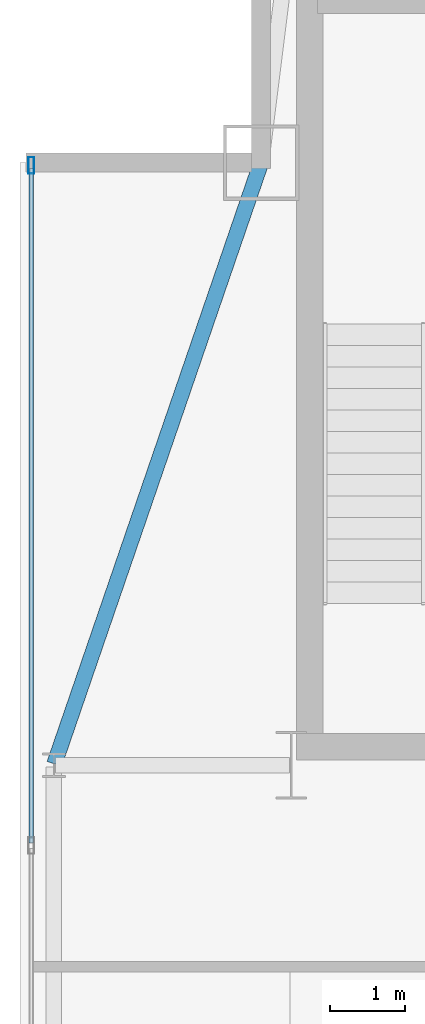
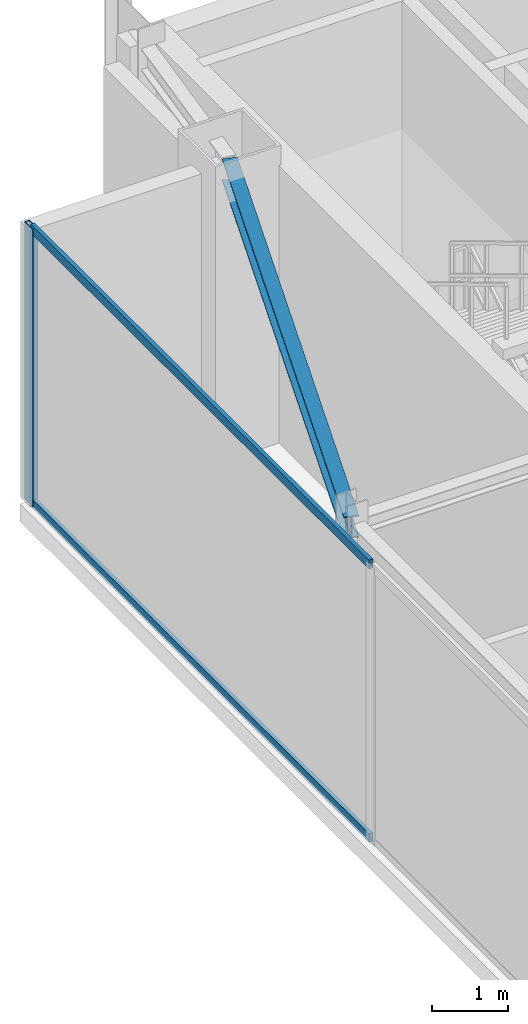
# One storey, part 11 of 20: 3 members, 1 beam, 1 element without a shape of its own.
"""IFC4 building model written with IfcOpenShell, lengths in metres."""

from ifc_helpers import new_model, si_unit, direction, frame, origin, origin_2d, place, context, subcontext, project, spatial, hollow_rectangle, i_section, extrude, source, transform, mapped, material, layer, layer_set, material_profile, profile_set, type_object, type_shapes, element, aggregate, save


model = new_model("IFC4")

# Units and contexts
model_context = context("Model", 3, precision=1e-05, world=origin(), true_north=direction((0.0, 1.0)))
body_context = subcontext(model_context, "Body", "Model", "MODEL_VIEW")
ifc_project = project(units=[si_unit("LENGTHUNIT", "METRE"), si_unit("AREAUNIT", "SQUARE_METRE"), si_unit("VOLUMEUNIT", "CUBIC_METRE"), si_unit("PLANEANGLEUNIT", "RADIAN"), si_unit("MASSUNIT", "GRAM", prefix="KILO")], contexts=[model_context])

# Site, building, storey
site_placement = place(None, origin())
site = spatial("IfcSite", under=ifc_project, at=site_placement, CompositionType="ELEMENT")
building_placement = place(site_placement, origin())
building = spatial("IfcBuilding", under=site, at=building_placement, Name="Varnel Quay Broadcast Tower", CompositionType="ELEMENT")
storey_placement = place(building_placement, frame((0.0, 0.0, 309.800048828125)))
storey = spatial("IfcBuildingStorey", under=building, at=storey_placement, Name="L77", CompositionType="ELEMENT", Elevation=309.800048828125)

# Beam
ifc_material_1 = material(Name="Structural Steel CSA G40.21 350W", Category="steel")
ifc_material_profile_1 = material_profile(ifc_material_1, i_section(OverallWidth=0.205078125, OverallDepth=0.35400390625, WebThickness=0.009521484375, FlangeThickness=0.016845703125, FilletRadius=0.012939453125, at=origin_2d()), Name="W360X79")
ifc_profile_set_1 = profile_set([ifc_material_profile_1], Name="Structural Steel CSA G40.21 350W")
beam_type = type_object("IfcBeamType", Name="Beam_W360X79", PredefinedType="SPANDREL", material=ifc_profile_set_1)
shared_shape_1 = source(origin(), body_context, "Body", "SweptSolid", [
    extrude(i_section(OverallWidth=0.205078125, OverallDepth=0.35400390625, WebThickness=0.009521484375, FlangeThickness=0.016845703125, FilletRadius=0.012939453125, at=origin_2d()), origin(), (0.0, 0.0, 1.0), 8.41943359375),
])
type_shapes(beam_type, [shared_shape_1])
beam_placement = place(storey_placement, frame((12.45654296875, 35.618896484375, 4.302978515625), z_axis=(0.325087062108, 0.945684092099, 0.0), x_axis=(-0.945684092099, 0.325087062108, 0.0)))
element("IfcBeam", 1, at=beam_placement, inside=storey, type_object=beam_type, Name="L77 West Spandrel TC-W2-MC-NW", PredefinedType="SPANDREL", context=body_context, shape_type="MappedRepresentation", body=[
    mapped(shared_shape_1, transform((0.0, 0.0, 0.0), x_axis=(1.0, 0.0, 0.0), y_axis=(0.0, 1.0, 0.0), z_axis=(0.0, 0.0, 1.0), scale=1.0)),
])

# Curtain wall, members
ifc_material_2 = material(Name="Anodised Bronze Aluminium 6063-T6", Category="aluminium")
ifc_layer = layer(ifc_material_2, 0.18994140625, Name="Anodised Bronze Aluminium 6063-T6")
ifc_layer_set = layer_set([ifc_layer], Name="Anodised Bronze Aluminium 6063-T6")
curtain_wall_type = type_object("IfcCurtainWallType", Name="CW_SkyObsHighVis", PredefinedType="NOTDEFINED", material=ifc_layer_set)
curtain_wall_placement = place(storey_placement, origin())
curtain_wall = element("IfcCurtainWall", 2, at=curtain_wall_placement, inside=storey, type_object=curtain_wall_type, Name="L77 West Unitised Curtain Wall", PredefinedType="NOTDEFINED")
ifc_material_profile_2 = material_profile(ifc_material_2, hollow_rectangle(XDim=0.06005859375, YDim=0.14501953125, WallThickness=0.00341796875, at=origin_2d()), Name="ALU60X145X3.5")
ifc_profile_set_2 = profile_set([ifc_material_profile_2], Name="Anodised Bronze Aluminium 6063-T6")
member_type_1 = type_object("IfcMemberType", Name="Tran_CWS-05", PredefinedType="USERDEFINED", material=ifc_profile_set_2)
shared_shape_2 = source(origin(), body_context, "Body", "SweptSolid", [
    extrude(hollow_rectangle(XDim=0.06005859375, YDim=0.14501953125, WallThickness=0.00341796875, at=origin_2d()), origin(), (0.0, 0.0, 1.0), 8.9541015625),
])
type_shapes(member_type_1, [shared_shape_2])
member_1_placement = place(storey_placement, frame((12.14990234375, 34.57080078125, 0.030029296875), z_axis=(0.0, 1.0, 0.0), x_axis=(-1.0, 0.0, 0.0)))
member_1 = element("IfcMember", 3, at=member_1_placement, type_object=member_type_1, Name="CWS-05 transom 3.1", ObjectType="TRANSOM", PredefinedType="USERDEFINED", context=body_context, shape_type="MappedRepresentation", body=[
    mapped(shared_shape_2, transform((0.0, 0.0, 0.0), x_axis=(1.0, 0.0, 0.0), y_axis=(0.0, 1.0, 0.0), z_axis=(0.0, 0.0, 1.0), scale=1.0)),
])
member_2_placement = place(storey_placement, frame((12.14990234375, 34.57080078125, 4.449951171875), z_axis=(0.0, 1.0, 0.0), x_axis=(-1.0, 0.0, 0.0)))
member_2 = element("IfcMember", 4, at=member_2_placement, type_object=member_type_1, Name="CWS-05 transom 3.2", ObjectType="TRANSOM", PredefinedType="USERDEFINED", context=body_context, shape_type="MappedRepresentation", body=[
    mapped(shared_shape_2, transform((0.0, 0.0, 0.0), x_axis=(1.0, 0.0, 0.0), y_axis=(0.0, 1.0, 0.0), z_axis=(0.0, 0.0, 1.0), scale=1.0)),
])
ifc_material_profile_3 = material_profile(ifc_material_2, hollow_rectangle(XDim=0.074951171875, YDim=0.219970703125, WallThickness=0.00390625, at=origin_2d()), Name="ALU75X220X4")
ifc_profile_set_3 = profile_set([ifc_material_profile_3], Name="Anodised Bronze Aluminium 6063-T6")
member_type_2 = type_object("IfcMemberType", Name="Mull_CWS-05", PredefinedType="MULLION", material=ifc_profile_set_3)
shared_shape_3 = source(origin(), body_context, "Body", "SweptSolid", [
    extrude(hollow_rectangle(XDim=0.074951171875, YDim=0.219970703125, WallThickness=0.00390625, at=origin_2d()), origin(), (0.0, 0.0, 1.0), 4.47998046875),
])
type_shapes(member_type_2, [shared_shape_3])
member_3_placement = place(storey_placement, frame((12.14990234375, 43.5625, 0.0), z_axis=(0.0, 0.0, 1.0), x_axis=(-1.0, 0.0, 0.0)))
member_3 = element("IfcMember", 5, at=member_3_placement, type_object=member_type_2, Name="CWS-05 mullion 4", PredefinedType="MULLION", context=body_context, shape_type="MappedRepresentation", body=[
    mapped(shared_shape_3, transform((0.0, 0.0, 0.0), x_axis=(1.0, 0.0, 0.0), y_axis=(0.0, 1.0, 0.0), z_axis=(0.0, 0.0, 1.0), scale=1.0)),
])
aggregate(curtain_wall, [member_3, member_1, member_2])

save(model, "model.ifc")
